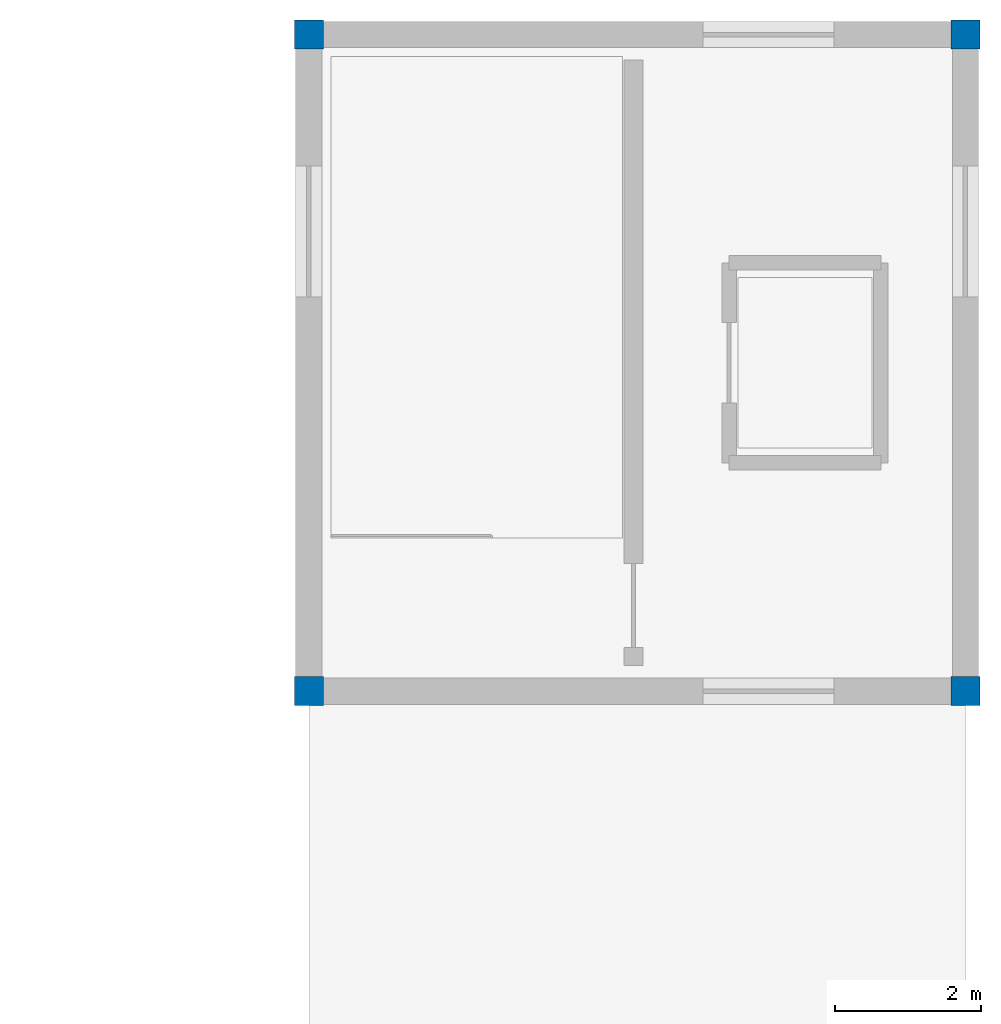
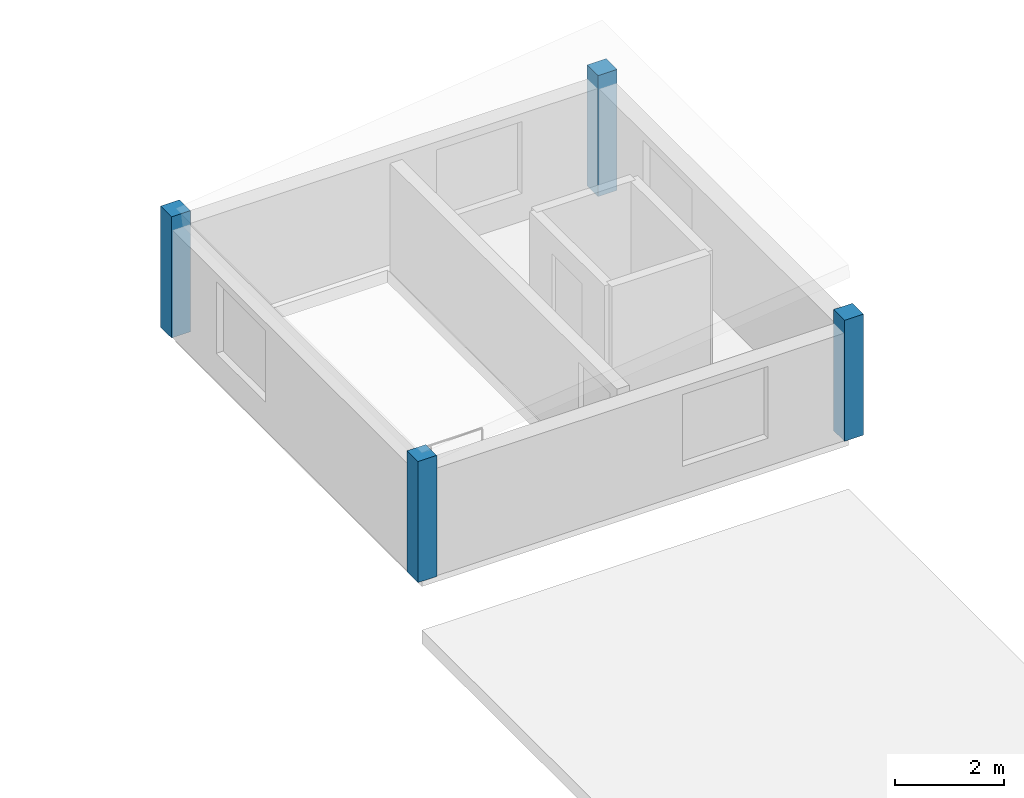
# One storey, part 1 of 7: 4 columns.
"""IFC4 building model written with IfcOpenShell, lengths in metres."""

import ifcopenshell
import ifcopenshell.guid

model = None  # the IFC model being written
_history = None  # IfcOwnerHistory: only IFC2X3 demands one
_inside = {}  # id of a spatial element -> (the spatial element, [elements in it])
_under = {}  # id of a project, library or spatial element -> (it, [spatial elements below it])
_declared = {}  # id of a project -> (the project, [libraries it declares])
_typed = {}  # id of a type object -> (the type object, [elements of that type])
_made_of = {}  # id of a material, layer set ... -> (it, [elements and type objects made of it])


def new_model(schema):
    """Start an empty IFC model of exactly this schema.

    Asked for "IFC4X3", IfcOpenShell would pick the latest addendum, in which some entities
    have other attributes; the version numbers below select the first issue.
    IFC2X3 requires an IfcOwnerHistory on every rooted entity: one is made here for all.
    """
    global model, _history
    if schema == "IFC4X3":
        model = ifcopenshell.file(schema_version=(4, 3, 0, 0))
    else:
        model = ifcopenshell.file(schema=schema)
    _inside.clear()
    _under.clear()
    _declared.clear()
    _typed.clear()
    _made_of.clear()
    _history = None
    if model.schema == "IFC2X3":
        org = make("IfcOrganization", Name="unknown")
        user = make(
            "IfcPersonAndOrganization",
            ThePerson=make("IfcPerson", FamilyName="unknown"),
            TheOrganization=org,
        )
        app = make(
            "IfcApplication",
            ApplicationDeveloper=org,
            Version="unknown",
            ApplicationFullName="unknown",
            ApplicationIdentifier="unknown",
        )
        _history = make(
            "IfcOwnerHistory",
            OwningUser=user,
            OwningApplication=app,
            ChangeAction="ADDED",
            CreationDate=0,
        )
    return model


def make(cls, **values):
    """One entity of the class cls with the attributes given. An attribute that is None is left unset."""
    return model.create_entity(
        cls, **{name: value for name, value in values.items() if value is not None}
    )


def rooted(cls, **values):
    """An entity with a GlobalId (a new one), such as an element, a storey or a relation."""
    return make(cls, GlobalId=ifcopenshell.guid.new(), OwnerHistory=_history, **values)


def si_unit(unit_type, name, prefix=None):
    """IfcSIUnit, for example si_unit("LENGTHUNIT", "METRE", prefix="MILLI")."""
    return make("IfcSIUnit", UnitType=unit_type, Prefix=prefix, Name=name)


def assignment(units):
    """IfcUnitAssignment: the units of a project."""
    return None if units is None else make("IfcUnitAssignment", Units=units)


def point(xyz):
    """IfcCartesianPoint."""
    return None if xyz is None else make("IfcCartesianPoint", Coordinates=xyz)


def direction(xyz):
    """IfcDirection."""
    return None if xyz is None else make("IfcDirection", DirectionRatios=xyz)


def frame(location, z_axis=None, x_axis=None):
    """IfcAxis2Placement3D, a coordinate frame: its origin and axes. An axis left out is left unset."""
    return make(
        "IfcAxis2Placement3D",
        Location=point(location),
        Axis=direction(z_axis),
        RefDirection=direction(x_axis),
    )


def frame_2d(location, x_axis=None):
    """IfcAxis2Placement2D, a coordinate frame in the plane: its origin and x axis."""
    return make(
        "IfcAxis2Placement2D", Location=point(location), RefDirection=direction(x_axis)
    )


def origin():
    """The frame at (0, 0, 0) with its axes left unset."""
    return frame((0.0, 0.0, 0.0))


def origin_2d():
    """The frame at (0, 0) in the plane with its x axis left unset."""
    return frame_2d((0.0, 0.0))


def place(relative_to, where):
    """IfcLocalPlacement: puts the frame where relative to a parent placement (None: the world)."""
    return make(
        "IfcLocalPlacement", PlacementRelTo=relative_to, RelativePlacement=where
    )


def context(
    kind, dimensions, precision=None, world=None, true_north=None, identifier=None
):
    """IfcGeometricRepresentationContext, for example the 3D "Model" context."""
    return make(
        "IfcGeometricRepresentationContext",
        ContextIdentifier=identifier,
        ContextType=kind,
        CoordinateSpaceDimension=dimensions,
        Precision=precision,
        WorldCoordinateSystem=world,
        TrueNorth=true_north,
    )


def subcontext(parent, identifier, kind, view, scale=None):
    """IfcGeometricRepresentationSubContext, for example "Body" below "Model"."""
    return make(
        "IfcGeometricRepresentationSubContext",
        ContextIdentifier=identifier,
        ContextType=kind,
        ParentContext=parent,
        TargetScale=scale,
        TargetView=view,
    )


def project(units=None, contexts=None):
    """IfcProject with its units and contexts."""
    return rooted(
        "IfcProject",
        Name="project",
        RepresentationContexts=contexts,
        UnitsInContext=assignment(units),
    )


def spatial(cls, under=None, at=None, **own):
    """A site, building, storey or space (cls), placed at a placement, below another one or the project."""
    s = rooted(cls, ObjectPlacement=at, **own)
    if under is not None:
        _under.setdefault(under.id(), (under, []))[1].append(s)
    return s


def profile(cls, at=None, kind="AREA", **sizes):
    """A parametric profile (cls). Its sizes go by their IFC names, for example OverallWidth=200.0."""
    return make(cls, ProfileType=kind, Position=at, **sizes)


def rectangle(**sizes):
    """IfcRectangleProfileDef."""
    return profile("IfcRectangleProfileDef", **sizes)


def extrude(swept, where, along, depth):
    """IfcExtrudedAreaSolid: the profile swept, set in the frame where, extruded along a direction by depth."""
    return make(
        "IfcExtrudedAreaSolid",
        SweptArea=swept,
        Position=where,
        ExtrudedDirection=direction(along),
        Depth=depth,
    )


def shape(context_of_items, identifier, shape_type, items):
    """IfcShapeRepresentation: the items that make up one representation, for example the "Body"."""
    return make(
        "IfcShapeRepresentation",
        ContextOfItems=context_of_items,
        RepresentationIdentifier=identifier,
        RepresentationType=shape_type,
        Items=items,
    )


def material(Name=None, Category=None):
    """IfcMaterial."""
    return make("IfcMaterial", Name=Name, Category=Category)


def material_profile(
    of_material, cross_section, Name=None, Category=None, Priority=None
):
    """IfcMaterialProfile: a cross section and its material."""
    return make(
        "IfcMaterialProfile",
        Name=Name,
        Material=of_material,
        Profile=cross_section,
        Priority=Priority,
        Category=Category,
    )


def profile_set(profiles, Name=None, composite=None):
    """IfcMaterialProfileSet."""
    return make(
        "IfcMaterialProfileSet",
        Name=Name,
        MaterialProfiles=profiles,
        CompositeProfile=composite,
    )


def made_of(thing, what):
    """Note that an element or type object is made of a material, layer set ...; save() writes the relation."""
    if what is not None:
        _made_of.setdefault(what.id(), (what, []))[1].append(thing)
    return thing


def type_object(cls, material=None, **own):
    """A type object (cls), such as IfcWallType, which elements share."""
    return made_of(rooted(cls, **own), material)


def element(
    cls,
    number,
    at=None,
    inside=None,
    cuts=None,
    type_object=None,
    material=None,
    context=None,
    identifier="Body",
    shape_type=None,
    held_by="IfcProductDefinitionShape",
    body=None,
    shapes=None,
    **own,
):
    """One element of the class cls, such as IfcWall. Its Tag is "e" and its number.

    at: its placement. inside: the storey or other place that contains it. cuts: it is an
    opening in that element (IfcRelVoidsElement). A single representation is given by context,
    identifier, shape_type and body (its items); several are given by shapes. held_by: the class
    of the entity that holds the representations. save() writes the other relations.
    """
    e = rooted(cls, Tag="e%d" % number, ObjectPlacement=at, **own)
    if body is not None:
        shapes = [shape(context, identifier, shape_type, body)]
    if shapes is not None:
        e.Representation = make(held_by, Representations=shapes)
    if inside is not None:
        _inside.setdefault(inside.id(), (inside, []))[1].append(e)
    if cuts is not None:
        rooted(
            "IfcRelVoidsElement", RelatingBuildingElement=cuts, RelatedOpeningElement=e
        )
    if type_object is not None:
        _typed.setdefault(type_object.id(), (type_object, []))[1].append(e)
    return made_of(e, material)


def aggregate(whole, parts):
    """IfcRelAggregates: a whole, such as a stair, and the parts it consists of."""
    return rooted("IfcRelAggregates", RelatingObject=whole, RelatedObjects=parts)


def save(model, path):
    """Write the relations noted so far, then the file.

    IfcRelAggregates (storeys below a building ...), IfcRelContainedInSpatialStructure (elements
    in a storey), IfcRelDefinesByType, IfcRelAssociatesMaterial and IfcRelDeclares: one each for
    every whole, place, type object, material and project.
    """
    for whole, parts in _under.values():
        aggregate(whole, parts)
    for where, things in _inside.values():
        rooted(
            "IfcRelContainedInSpatialStructure",
            RelatedElements=things,
            RelatingStructure=where,
        )
    for kind, things in _typed.values():
        rooted("IfcRelDefinesByType", RelatedObjects=things, RelatingType=kind)
    for what, things in _made_of.values():
        rooted("IfcRelAssociatesMaterial", RelatedObjects=things, RelatingMaterial=what)
    for by, libraries in _declared.values():
        rooted("IfcRelDeclares", RelatingContext=by, RelatedDefinitions=libraries)
    model.write(path)


model = new_model("IFC4")

# Units and contexts
model_context = context("Model", 3, precision=1e-05, world=origin(), true_north=direction((0.0, 1.0)))
body_context = subcontext(model_context, "Body", "Model", "MODEL_VIEW")
ifc_project = project(units=[si_unit("LENGTHUNIT", "METRE"), si_unit("AREAUNIT", "SQUARE_METRE"), si_unit("VOLUMEUNIT", "CUBIC_METRE"), si_unit("PLANEANGLEUNIT", "RADIAN"), si_unit("MASSUNIT", "GRAM", prefix="KILO")], contexts=[model_context])

# Site, building, storey
site_placement = place(None, origin())
site = spatial("IfcSite", under=ifc_project, at=site_placement, CompositionType="ELEMENT")
building_placement = place(site_placement, origin())
building = spatial("IfcBuilding", under=site, at=building_placement, Name="Ornek Quay Market", CompositionType="ELEMENT")
storey_placement = place(building_placement, frame((0.0, 0.0, 16.64990234375)))
storey = spatial("IfcBuildingStorey", under=building, at=storey_placement, Name="ROOF", CompositionType="ELEMENT", Elevation=16.64990234375)

# Columns
ifc_material = material(Name="Concrete C40/50", Category="concrete")
ifc_material_profile = material_profile(ifc_material, rectangle(XDim=0.39990234375, YDim=0.39990234375, at=origin_2d()), Name="RC 400x400", Category="concrete")
ifc_profile_set = profile_set([ifc_material_profile], Name="Concrete C40/50")
column_type = type_object("IfcColumnType", Name="COL-RC-400x400", PredefinedType="COLUMN", material=ifc_profile_set)
for number, where, z_axis, x_axis, name in (
    (1, (171.0, 92.0, 0.0), (0.0, 0.0, 1.0), (1.0, 0.0, 0.0), "Column C-40-029"),
    (2, (171.0, 101.0, 0.0), (0.0, 0.0, 1.0), (1.0, 0.0, 0.0), "Column C-40-031"),
    (3, (180.0, 92.0, 0.0), (0.0, 0.0, 1.0), (1.0, 0.0, 0.0), "Column C-40-042"),
    (4, (180.0, 101.0, 0.0), (0.0, 0.0, 1.0), (1.0, 0.0, 0.0), "Column C-40-044"),
):
    element("IfcColumn", number, at=place(storey_placement, frame(where, z_axis=z_axis, x_axis=x_axis)), inside=storey, type_object=column_type, Name=name, PredefinedType="COLUMN", context=body_context, shape_type="SweptSolid", body=[
        extrude(rectangle(XDim=0.39990234375, YDim=0.39990234375, at=origin_2d()), origin(), (0.0, 0.0, 1.0), 2.7001953125),
    ])

save(model, "model.ifc")
